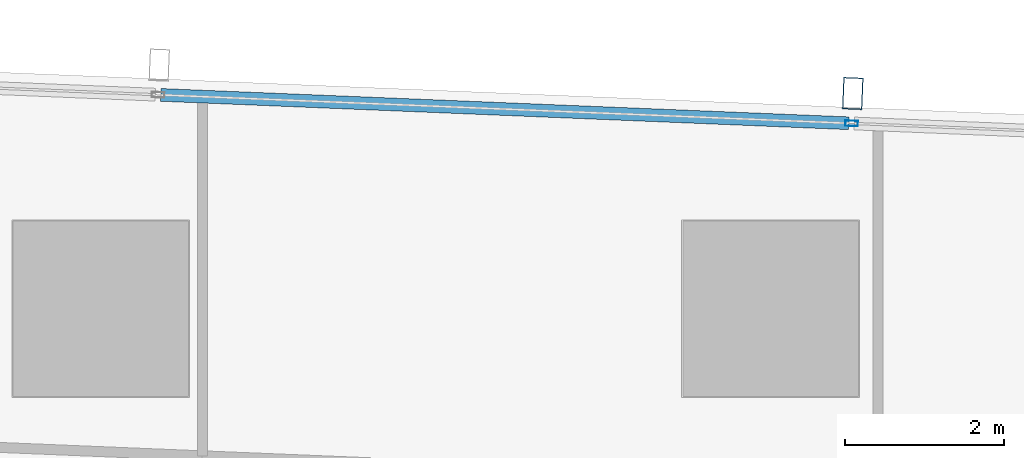
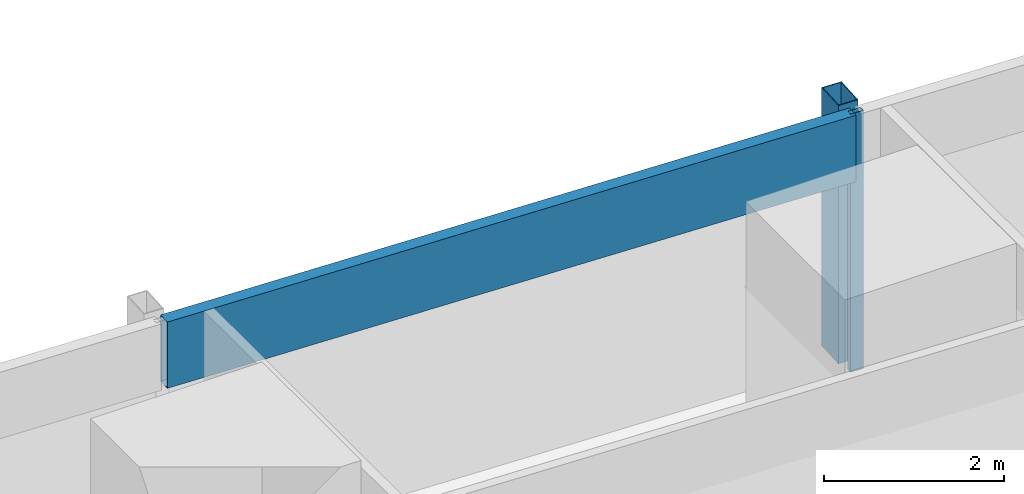
# One storey, part 22 of 45: 3 members, 1 element without a shape of its own.
"""IFC4 building model written with IfcOpenShell, lengths in metres."""

from ifc_helpers import new_model, si_unit, direction, frame, origin, origin_2d, place, context, subcontext, project, spatial, hollow_rectangle, extrude, material, material_profile, profile_set, type_object, element, aggregate, save


model = new_model("IFC4")

# Units and contexts
model_context = context("Model", 3, precision=1e-05, world=origin(), true_north=direction((0.0, 1.0)))
body_context = subcontext(model_context, "Body", "Model", "MODEL_VIEW")
ifc_project = project(units=[si_unit("LENGTHUNIT", "METRE"), si_unit("AREAUNIT", "SQUARE_METRE"), si_unit("VOLUMEUNIT", "CUBIC_METRE"), si_unit("PLANEANGLEUNIT", "RADIAN"), si_unit("MASSUNIT", "GRAM", prefix="KILO")], contexts=[model_context])

# Site, building, storey
site_placement = place(None, origin())
site = spatial("IfcSite", under=ifc_project, at=site_placement, CompositionType="ELEMENT")
building_placement = place(site_placement, origin())
building = spatial("IfcBuilding", under=site, at=building_placement, Name="Rekha Terrace Tower", CompositionType="ELEMENT")
storey_placement = place(building_placement, frame((0.0, 0.0, 32.89990234375)))
storey = spatial("IfcBuildingStorey", under=building, at=storey_placement, Name="L07", CompositionType="ELEMENT", Elevation=32.89990234375)

# Curtain wall, members
ifc_material_1 = material(Name="Aluminium framing", Category="aluminium")
curtain_wall_type = type_object("IfcCurtainWallType", Name="CW3 north unitised glazing", PredefinedType="USERDEFINED", material=ifc_material_1)
curtain_wall_placement = place(storey_placement, origin())
curtain_wall = element("IfcCurtainWall", 1, at=curtain_wall_placement, inside=storey, type_object=curtain_wall_type, Name="CW3 unitised curtain wall", ObjectType="UNITISED CURTAIN WALL", PredefinedType="USERDEFINED")
ifc_material_2 = material(Name="Steel S355 with fluorocarbon finish", Category="steel")
ifc_material_profile_1 = material_profile(ifc_material_2, hollow_rectangle(XDim=0.25, YDim=0.39990234375, WallThickness=0.012451171875, at=origin_2d()), Name="RHS400x250x12.5")
ifc_profile_set_1 = profile_set([ifc_material_profile_1], Name="Steel S355 with fluorocarbon finish")
member_type_1 = type_object("IfcMemberType", Name="BL1 facade blade RHS 400 x 250", PredefinedType="USERDEFINED", material=ifc_profile_set_1)
member_1_placement = place(storey_placement, frame((51.430419921875, 61.499267578125, 0.0), z_axis=(0.0, 0.0, 1.0), x_axis=(-0.99915196507, 0.041174636562, 0.0)))
member_1 = element("IfcMember", 2, at=member_1_placement, type_object=member_type_1, Name="Facade blade", ObjectType="FACADE BLADE", PredefinedType="USERDEFINED", context=body_context, shape_type="SweptSolid", body=[
    extrude(hollow_rectangle(XDim=0.25, YDim=0.39990234375, WallThickness=0.012451171875, at=origin_2d()), origin(), (0.0, 0.0, 1.0), 3.5),
])
ifc_material_3 = material(Name="Aluminium mullion section", Category="aluminium")
ifc_material_profile_2 = material_profile(ifc_material_3, hollow_rectangle(XDim=0.070068359375, YDim=0.159912109375, WallThickness=0.00390625, at=origin_2d()), Name="AL RHS 70x160")
ifc_profile_set_2 = profile_set([ifc_material_profile_2], Name="Aluminium mullion section")
member_type_2 = type_object("IfcMemberType", Name="CW3 mullion RHS 70 x 160", PredefinedType="MULLION", material=ifc_profile_set_2)
member_2_placement = place(storey_placement, frame((51.4150390625, 61.12451171875, 0.0), z_axis=(0.0, 0.0, 1.0), x_axis=(-0.041173846041, -0.999151997647, 0.0)))
member_2 = element("IfcMember", 3, at=member_2_placement, type_object=member_type_2, Name="CW3 mullion 3", PredefinedType="MULLION", context=body_context, shape_type="SweptSolid", body=[
    extrude(hollow_rectangle(XDim=0.070068359375, YDim=0.159912109375, WallThickness=0.00390625, at=origin_2d()), origin(), (0.0, 0.0, 1.0), 3.5),
])
ifc_material_4 = material(Name="Insulated aluminium spandrel box", Category="aluminium")
ifc_material_profile_3 = material_profile(ifc_material_4, hollow_rectangle(XDim=0.159912109375, YDim=0.89990234375, WallThickness=0.0029296875, at=origin_2d()), Name="AL SPANDREL BOX 160x900")
ifc_profile_set_3 = profile_set([ifc_material_profile_3], Name="Insulated aluminium spandrel box")
member_type_3 = type_object("IfcMemberType", Name="CW3 spandrel transom 160 x 900", PredefinedType="USERDEFINED", material=ifc_profile_set_3)
member_3_placement = place(storey_placement, frame((51.380126953125, 61.1259765625, 3.050048828125), z_axis=(-0.999152128669, 0.041170666459, 0.0), x_axis=(-0.041170666459, -0.999152128669, 0.0)))
member_3 = element("IfcMember", 4, at=member_3_placement, type_object=member_type_3, Name="CW3 spandrel transom 3", ObjectType="TRANSOM", PredefinedType="USERDEFINED", context=body_context, shape_type="SweptSolid", body=[
    extrude(hollow_rectangle(XDim=0.159912109375, YDim=0.89990234375, WallThickness=0.0029296875, at=origin_2d()), origin(), (0.0, 0.0, 1.0), 8.634033203125),
])
aggregate(curtain_wall, [member_2, member_3, member_1])

save(model, "model.ifc")
